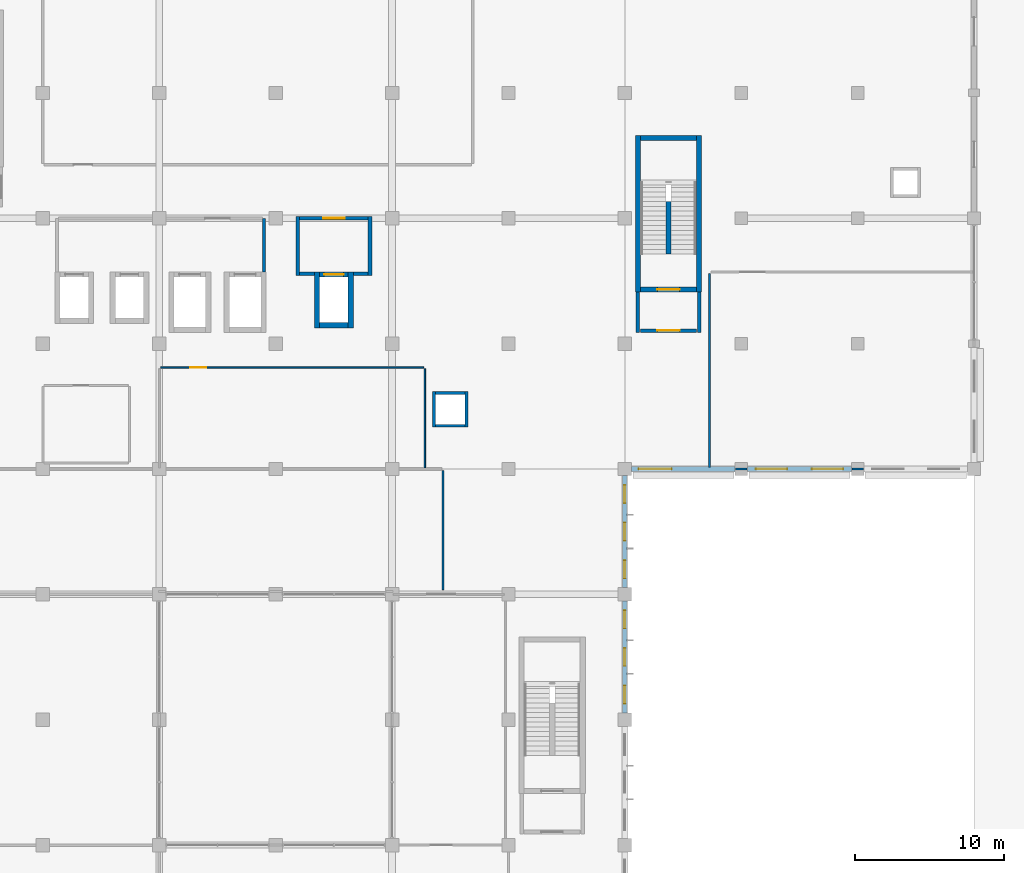
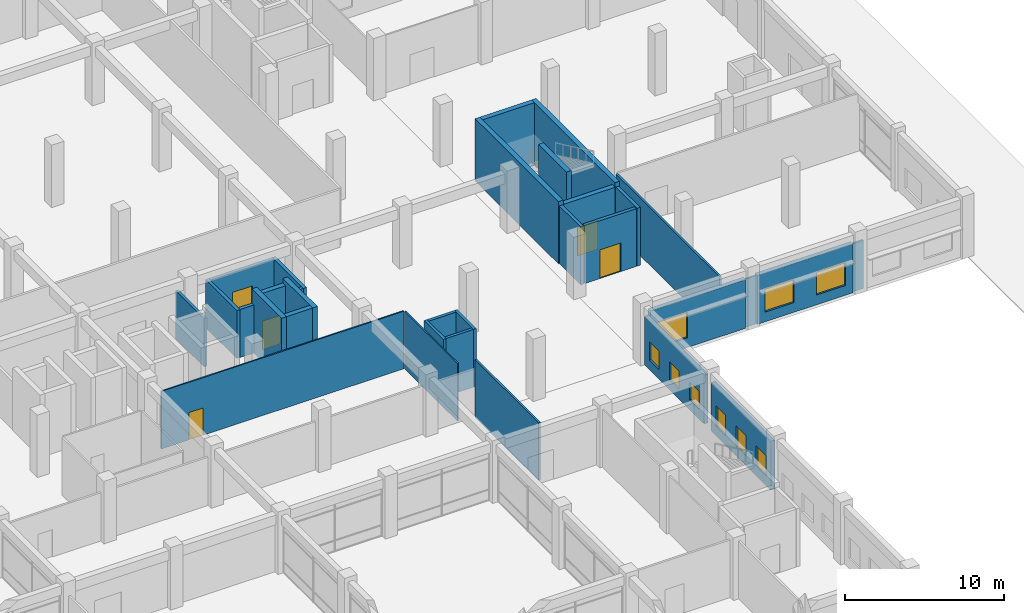
# One storey, part 57 of 74: 32 walls, 9 windows, 5 doors, 14 openings.
"""IFC4 building model written with IfcOpenShell, lengths in metres."""

import ifcopenshell
import ifcopenshell.guid

model = None  # the IFC model being written
_history = None  # IfcOwnerHistory: only IFC2X3 demands one
_inside = {}  # id of a spatial element -> (the spatial element, [elements in it])
_under = {}  # id of a project, library or spatial element -> (it, [spatial elements below it])
_declared = {}  # id of a project -> (the project, [libraries it declares])
_typed = {}  # id of a type object -> (the type object, [elements of that type])
_made_of = {}  # id of a material, layer set ... -> (it, [elements and type objects made of it])


def new_model(schema):
    """Start an empty IFC model of exactly this schema.

    Asked for "IFC4X3", IfcOpenShell would pick the latest addendum, in which some entities
    have other attributes; the version numbers below select the first issue.
    IFC2X3 requires an IfcOwnerHistory on every rooted entity: one is made here for all.
    """
    global model, _history
    if schema == "IFC4X3":
        model = ifcopenshell.file(schema_version=(4, 3, 0, 0))
    else:
        model = ifcopenshell.file(schema=schema)
    _inside.clear()
    _under.clear()
    _declared.clear()
    _typed.clear()
    _made_of.clear()
    _history = None
    if model.schema == "IFC2X3":
        org = make("IfcOrganization", Name="unknown")
        user = make(
            "IfcPersonAndOrganization",
            ThePerson=make("IfcPerson", FamilyName="unknown"),
            TheOrganization=org,
        )
        app = make(
            "IfcApplication",
            ApplicationDeveloper=org,
            Version="unknown",
            ApplicationFullName="unknown",
            ApplicationIdentifier="unknown",
        )
        _history = make(
            "IfcOwnerHistory",
            OwningUser=user,
            OwningApplication=app,
            ChangeAction="ADDED",
            CreationDate=0,
        )
    return model


def make(cls, **values):
    """One entity of the class cls with the attributes given. An attribute that is None is left unset."""
    return model.create_entity(
        cls, **{name: value for name, value in values.items() if value is not None}
    )


def rooted(cls, **values):
    """An entity with a GlobalId (a new one), such as an element, a storey or a relation."""
    return make(cls, GlobalId=ifcopenshell.guid.new(), OwnerHistory=_history, **values)


def si_unit(unit_type, name, prefix=None):
    """IfcSIUnit, for example si_unit("LENGTHUNIT", "METRE", prefix="MILLI")."""
    return make("IfcSIUnit", UnitType=unit_type, Prefix=prefix, Name=name)


def assignment(units):
    """IfcUnitAssignment: the units of a project."""
    return None if units is None else make("IfcUnitAssignment", Units=units)


def point(xyz):
    """IfcCartesianPoint."""
    return None if xyz is None else make("IfcCartesianPoint", Coordinates=xyz)


def direction(xyz):
    """IfcDirection."""
    return None if xyz is None else make("IfcDirection", DirectionRatios=xyz)


def frame(location, z_axis=None, x_axis=None):
    """IfcAxis2Placement3D, a coordinate frame: its origin and axes. An axis left out is left unset."""
    return make(
        "IfcAxis2Placement3D",
        Location=point(location),
        Axis=direction(z_axis),
        RefDirection=direction(x_axis),
    )


def frame_2d(location, x_axis=None):
    """IfcAxis2Placement2D, a coordinate frame in the plane: its origin and x axis."""
    return make(
        "IfcAxis2Placement2D", Location=point(location), RefDirection=direction(x_axis)
    )


def origin():
    """The frame at (0, 0, 0) with its axes left unset."""
    return frame((0.0, 0.0, 0.0))


def place(relative_to, where):
    """IfcLocalPlacement: puts the frame where relative to a parent placement (None: the world)."""
    return make(
        "IfcLocalPlacement", PlacementRelTo=relative_to, RelativePlacement=where
    )


def context(
    kind, dimensions, precision=None, world=None, true_north=None, identifier=None
):
    """IfcGeometricRepresentationContext, for example the 3D "Model" context."""
    return make(
        "IfcGeometricRepresentationContext",
        ContextIdentifier=identifier,
        ContextType=kind,
        CoordinateSpaceDimension=dimensions,
        Precision=precision,
        WorldCoordinateSystem=world,
        TrueNorth=true_north,
    )


def subcontext(parent, identifier, kind, view, scale=None):
    """IfcGeometricRepresentationSubContext, for example "Body" below "Model"."""
    return make(
        "IfcGeometricRepresentationSubContext",
        ContextIdentifier=identifier,
        ContextType=kind,
        ParentContext=parent,
        TargetScale=scale,
        TargetView=view,
    )


def project(units=None, contexts=None):
    """IfcProject with its units and contexts."""
    return rooted(
        "IfcProject",
        Name="project",
        RepresentationContexts=contexts,
        UnitsInContext=assignment(units),
    )


def spatial(cls, under=None, at=None, **own):
    """A site, building, storey or space (cls), placed at a placement, below another one or the project."""
    s = rooted(cls, ObjectPlacement=at, **own)
    if under is not None:
        _under.setdefault(under.id(), (under, []))[1].append(s)
    return s


def profile(cls, at=None, kind="AREA", **sizes):
    """A parametric profile (cls). Its sizes go by their IFC names, for example OverallWidth=200.0."""
    return make(cls, ProfileType=kind, Position=at, **sizes)


def rectangle(**sizes):
    """IfcRectangleProfileDef."""
    return profile("IfcRectangleProfileDef", **sizes)


def extrude(swept, where, along, depth):
    """IfcExtrudedAreaSolid: the profile swept, set in the frame where, extruded along a direction by depth."""
    return make(
        "IfcExtrudedAreaSolid",
        SweptArea=swept,
        Position=where,
        ExtrudedDirection=direction(along),
        Depth=depth,
    )


def shape(context_of_items, identifier, shape_type, items):
    """IfcShapeRepresentation: the items that make up one representation, for example the "Body"."""
    return make(
        "IfcShapeRepresentation",
        ContextOfItems=context_of_items,
        RepresentationIdentifier=identifier,
        RepresentationType=shape_type,
        Items=items,
    )


def material(Name=None, Category=None):
    """IfcMaterial."""
    return make("IfcMaterial", Name=Name, Category=Category)


def layer(
    of_material, thickness, ventilated=None, Name=None, Category=None, Priority=None
):
    """IfcMaterialLayer: one layer of a wall or slab, of a material (None: an air gap)."""
    return make(
        "IfcMaterialLayer",
        Material=of_material,
        LayerThickness=thickness,
        IsVentilated=ventilated,
        Name=Name,
        Category=Category,
        Priority=Priority,
    )


def layer_set(layers, Name=None):
    """IfcMaterialLayerSet."""
    return make("IfcMaterialLayerSet", MaterialLayers=layers, LayerSetName=Name)


def made_of(thing, what):
    """Note that an element or type object is made of a material, layer set ...; save() writes the relation."""
    if what is not None:
        _made_of.setdefault(what.id(), (what, []))[1].append(thing)
    return thing


def type_object(cls, material=None, **own):
    """A type object (cls), such as IfcWallType, which elements share."""
    return made_of(rooted(cls, **own), material)


def element(
    cls,
    number,
    at=None,
    inside=None,
    cuts=None,
    type_object=None,
    material=None,
    context=None,
    identifier="Body",
    shape_type=None,
    held_by="IfcProductDefinitionShape",
    body=None,
    shapes=None,
    **own,
):
    """One element of the class cls, such as IfcWall. Its Tag is "e" and its number.

    at: its placement. inside: the storey or other place that contains it. cuts: it is an
    opening in that element (IfcRelVoidsElement). A single representation is given by context,
    identifier, shape_type and body (its items); several are given by shapes. held_by: the class
    of the entity that holds the representations. save() writes the other relations.
    """
    e = rooted(cls, Tag="e%d" % number, ObjectPlacement=at, **own)
    if body is not None:
        shapes = [shape(context, identifier, shape_type, body)]
    if shapes is not None:
        e.Representation = make(held_by, Representations=shapes)
    if inside is not None:
        _inside.setdefault(inside.id(), (inside, []))[1].append(e)
    if cuts is not None:
        rooted(
            "IfcRelVoidsElement", RelatingBuildingElement=cuts, RelatedOpeningElement=e
        )
    if type_object is not None:
        _typed.setdefault(type_object.id(), (type_object, []))[1].append(e)
    return made_of(e, material)


def fill(opening, filler):
    """IfcRelFillsElement: the door or window that sits in an opening."""
    return rooted(
        "IfcRelFillsElement",
        RelatingOpeningElement=opening,
        RelatedBuildingElement=filler,
    )


def aggregate(whole, parts):
    """IfcRelAggregates: a whole, such as a stair, and the parts it consists of."""
    return rooted("IfcRelAggregates", RelatingObject=whole, RelatedObjects=parts)


def save(model, path):
    """Write the relations noted so far, then the file.

    IfcRelAggregates (storeys below a building ...), IfcRelContainedInSpatialStructure (elements
    in a storey), IfcRelDefinesByType, IfcRelAssociatesMaterial and IfcRelDeclares: one each for
    every whole, place, type object, material and project.
    """
    for whole, parts in _under.values():
        aggregate(whole, parts)
    for where, things in _inside.values():
        rooted(
            "IfcRelContainedInSpatialStructure",
            RelatedElements=things,
            RelatingStructure=where,
        )
    for kind, things in _typed.values():
        rooted("IfcRelDefinesByType", RelatedObjects=things, RelatingType=kind)
    for what, things in _made_of.values():
        rooted("IfcRelAssociatesMaterial", RelatedObjects=things, RelatingMaterial=what)
    for by, libraries in _declared.values():
        rooted("IfcRelDeclares", RelatingContext=by, RelatedDefinitions=libraries)
    model.write(path)


model = new_model("IFC4")

# Units and contexts
model_context = context("Model", 3, precision=1e-05, world=origin(), true_north=direction((0.0, 1.0)))
body_context = subcontext(model_context, "Body", "Model", "MODEL_VIEW")
ifc_project = project(units=[si_unit("LENGTHUNIT", "METRE"), si_unit("AREAUNIT", "SQUARE_METRE"), si_unit("VOLUMEUNIT", "CUBIC_METRE"), si_unit("PLANEANGLEUNIT", "RADIAN"), si_unit("MASSUNIT", "GRAM", prefix="KILO"), si_unit("THERMODYNAMICTEMPERATUREUNIT", "KELVIN"), si_unit("POWERUNIT", "WATT")], contexts=[model_context])

# Site, building, storey
site_placement = place(None, origin())
site = spatial("IfcSite", under=ifc_project, at=site_placement, CompositionType="ELEMENT")
building_placement = place(site_placement, origin())
building = spatial("IfcBuilding", under=site, at=building_placement, Name="Srebrne Nadtorze General Hospital", CompositionType="ELEMENT")
storey_placement = place(building_placement, origin())
storey = spatial("IfcBuildingStorey", under=building, at=storey_placement, Name="L00", CompositionType="ELEMENT", Elevation=0.0)

# Walls
ifc_material_1 = material(Name="Gypsum Healthcare Partition")
ifc_layer_1 = layer(ifc_material_1, 0.139892578125)
ifc_layer_set_1 = layer_set([ifc_layer_1], Name="Gypsum Healthcare Partition")
wall_type_1 = type_object("IfcWallType", Name="Clinical partition 140", PredefinedType="PARTITIONING", material=ifc_layer_set_1)
for number, where, z_axis, x_axis, name in (
    (1, (155.614990234375, 33.60009765625, 0.0), (0.0, 0.0, 1.0), (1.0, 0.0, 0.0), "Outpatient Retail Pharmacy wall WL-INT-L00-1352"),
    (2, (163.4150390625, 33.60009765625, 0.0), (0.0, 0.0, 1.0), (1.0, 0.0, 0.0), "Outpatient Retail Pharmacy wall WL-INT-L00-1353"),
):
    element("IfcWall", number, at=place(storey_placement, frame(where, z_axis=z_axis, x_axis=x_axis)), inside=storey, type_object=wall_type_1, Name=name, PredefinedType="PARTITIONING", context=body_context, shape_type="SweptSolid", body=[
        extrude(rectangle(XDim=0.77001953125, YDim=0.139892578125, at=frame_2d((0.385009765625, 0.0))), origin(), (0.0, 0.0, 1.0), 3.699951171875),
    ])
wall_1_placement = place(storey_placement, frame((153.875, 33.68505859375, 0.0), z_axis=(0.0, 0.0, 1.0), x_axis=(0.0, 1.0, 0.0)))
element("IfcWall", 3, at=wall_1_placement, inside=storey, type_object=wall_type_1, Name="Outpatient Retail Pharmacy wall WL-INT-L00-1354", PredefinedType="PARTITIONING", context=body_context, shape_type="SweptSolid", body=[
    extrude(rectangle(XDim=13.030029296875, YDim=0.139892578125, at=frame_2d((6.51513671875, 0.0))), origin(), (0.0, 0.0, 1.0), 4.429931640625),
])
wall_2_placement = place(storey_placement, frame((136.0, 25.485107421875, 0.0), z_axis=(0.0, 0.0, 1.0), x_axis=(0.0, 1.0, 0.0)))
element("IfcWall", 4, at=wall_2_placement, inside=storey, type_object=wall_type_1, Name="Outpatient Pre-Admission Assessment Clinic wall WL-INT-L00-1389", PredefinedType="PARTITIONING", context=body_context, shape_type="SweptSolid", body=[
    extrude(rectangle(XDim=8.02978515625, YDim=0.139892578125, at=frame_2d((4.014892578125, 0.0))), origin(), (0.0, 0.0, 1.0), 4.429931640625),
])
ifc_material_2 = material(Name="Gypsum Healthcare Partition")
ifc_layer_2 = layer(ifc_material_2, 0.199951171875)
ifc_layer_set_2 = layer_set([ifc_layer_2], Name="Gypsum Healthcare Partition")
wall_type_2 = type_object("IfcWallType", Name="Compartment wall 200", PredefinedType="STANDARD", material=ifc_layer_set_2)
wall_3_placement = place(storey_placement, frame((124.02001953125, 46.81005859375, 0.0), z_axis=(0.0, 0.0, 1.0), x_axis=(0.0, 1.0, 0.0)))
element("IfcWall", 5, at=wall_3_placement, inside=storey, type_object=wall_type_2, Name="Lift lobby side wall WL-INT-L00-0910", PredefinedType="STANDARD", context=body_context, shape_type="SweptSolid", body=[
    extrude(rectangle(XDim=3.58984375, YDim=0.199951171875, at=frame_2d((1.794921875, 0.0))), origin(), (0.0, 0.0, 1.0), 3.699951171875),
])
for number, where, z_axis, x_axis, name in (
    (6, (135.39990234375, 36.39990234375, 0.0), (0.0, 0.0, 1.0), (0.0, 1.0, 0.0), "MEP riser wall WL-INT-L00-0916"),
    (7, (137.60009765625, 36.39990234375, 0.0), (0.0, 0.0, 1.0), (0.0, 1.0, 0.0), "MEP riser wall WL-INT-L00-0917"),
):
    element("IfcWall", number, at=place(storey_placement, frame(where, z_axis=z_axis, x_axis=x_axis)), inside=storey, type_object=wall_type_2, Name=name, PredefinedType="STANDARD", context=body_context, shape_type="SweptSolid", body=[
        extrude(rectangle(XDim=2.400146484375, YDim=0.199951171875, at=frame_2d((1.2001953125, 0.0))), origin(), (0.0, 0.0, 1.0), 4.449951171875),
    ])
for number, where, z_axis, x_axis, name in (
    (8, (135.5, 36.5, 0.0), (0.0, 0.0, 1.0), (1.0, 0.0, 0.0), "MEP riser wall WL-INT-L00-0918"),
    (9, (135.5, 38.699951171875, 0.0), (0.0, 0.0, 1.0), (1.0, 0.0, 0.0), "MEP riser wall WL-INT-L00-0919"),
):
    element("IfcWall", number, at=place(storey_placement, frame(where, z_axis=z_axis, x_axis=x_axis)), inside=storey, type_object=wall_type_2, Name=name, PredefinedType="STANDARD", context=body_context, shape_type="SweptSolid", body=[
        extrude(rectangle(XDim=2.0, YDim=0.199951171875, at=frame_2d((1.0, 0.0))), origin(), (0.0, 0.0, 1.0), 4.449951171875),
    ])
ifc_material_3 = material(Name="Gypsum Healthcare Partition")
ifc_layer_3 = layer(ifc_material_3, 0.239990234375)
ifc_layer_set_3 = layer_set([ifc_layer_3], Name="Gypsum Healthcare Partition")
wall_type_3 = type_object("IfcWallType", Name="Corridor fire wall 240", PredefinedType="STANDARD", material=ifc_layer_set_3)
for number, where, z_axis, x_axis, name in (
    (10, (149.074951171875, 42.7548828125, 0.0), (0.0, 0.0, 1.0), (0.0, 1.0, 0.0), "Fire lobby wall ST-06 WL-INT-L00-0109"),
    (11, (153.175048828125, 42.7548828125, 0.0), (0.0, 0.0, 1.0), (0.0, 1.0, 0.0), "Fire lobby wall ST-06 WL-INT-L00-0110"),
):
    element("IfcWall", number, at=place(storey_placement, frame(where, z_axis=z_axis, x_axis=x_axis)), inside=storey, type_object=wall_type_3, Name=name, PredefinedType="STANDARD", context=body_context, shape_type="SweptSolid", body=[
        extrude(rectangle(XDim=2.695068359375, YDim=0.239990234375, at=frame_2d((1.34765625, 0.0))), origin(), (0.0, 0.0, 1.0), 4.449951171875),
    ])

# Wall, opening, door
wall_4_placement = place(storey_placement, frame((149.25, 42.875, 0.0), z_axis=(0.0, 0.0, 1.0), x_axis=(1.0, 0.0, 0.0)))
wall_4 = element("IfcWall", 12, at=wall_4_placement, inside=storey, type_object=wall_type_3, Name="Fire lobby entry wall ST-06 WL-INT-L00-0111", PredefinedType="STANDARD", context=body_context, shape_type="SweptSolid", body=[
    extrude(rectangle(XDim=3.75, YDim=0.239990234375, at=frame_2d((1.875, 0.0))), origin(), (0.0, 0.0, 1.0), 4.449951171875),
])
opening_1_placement = place(wall_4_placement, frame((1.125, 0.0, 0.0)))
opening_1 = element("IfcOpeningElement", 13, at=opening_1_placement, cuts=wall_4, Name="Opening D-L00-0028", PredefinedType="OPENING", context=body_context, shape_type="SweptSolid", body=[
    extrude(rectangle(XDim=1.5, YDim=2.199951171875, at=frame_2d((0.75, 1.10009765625))), frame((0.0, 0.1318359375, 0.0), z_axis=(0.0, -1.0, 0.0), x_axis=(1.0, 0.0, 0.0)), (0.0, 0.0, 1.0), 0.263916015625),
])
ifc_material_4 = material(Name="Anodised Aluminium", Category="aluminium")
door_type_1 = type_object("IfcDoorType", Name="Double leaf door 1500x2200", OperationType="DOUBLE_DOOR_SINGLE_SWING", PredefinedType="DOOR", material=ifc_material_4)
door_1_placement = place(opening_1_placement, frame((1.5, 0.0, 0.0), z_axis=(0.0, 0.0, 1.0), x_axis=(-1.0, 0.0, 0.0)))
door_1 = element("IfcDoor", 14, at=door_1_placement, inside=storey, type_object=door_type_1, Name="Fire lobby door ST-06 D-L00-0028", OperationType="DOUBLE_DOOR_SINGLE_SWING", OverallHeight=2.199951171875, OverallWidth=1.5, PredefinedType="DOOR", context=body_context, shape_type="SweptSolid", body=[
    extrude(rectangle(XDim=1.5, YDim=2.199951171875, at=frame_2d((0.75, 1.10009765625))), frame((0.0, 0.02490234375, 0.0), z_axis=(0.0, -1.0, 0.0), x_axis=(1.0, 0.0, 0.0)), (0.0, 0.0, 1.0), 0.050048828125),
])
fill(opening_1, door_1)

# Walls
for number, where, z_axis, x_axis, name in (
    (15, (126.280029296875, 46.570068359375, 0.0), (0.0, 0.0, 1.0), (0.0, 1.0, 0.0), "FF lift lobby wall WL-INT-L00-0904"),
    (16, (131.1201171875, 46.570068359375, 0.0), (0.0, 0.0, 1.0), (0.0, 1.0, 0.0), "FF lift lobby wall WL-INT-L00-0905"),
):
    element("IfcWall", number, at=place(storey_placement, frame(where, z_axis=z_axis, x_axis=x_axis)), inside=storey, type_object=wall_type_3, Name=name, PredefinedType="STANDARD", context=body_context, shape_type="SweptSolid", body=[
        extrude(rectangle(XDim=3.949951171875, YDim=0.239990234375, at=frame_2d((1.97509765625, 0.0))), origin(), (0.0, 0.0, 1.0), 3.699951171875),
    ])
for number, where, z_axis, x_axis, name in (
    (17, (126.39990234375, 46.68994140625, 0.0), (0.0, 0.0, 1.0), (1.0, 0.0, 0.0), "FF lift lobby return wall WL-INT-L00-0906"),
    (18, (130.0, 46.68994140625, 0.0), (0.0, 0.0, 1.0), (1.0, 0.0, 0.0), "FF lift lobby return wall WL-INT-L00-0907"),
):
    element("IfcWall", number, at=place(storey_placement, frame(where, z_axis=z_axis, x_axis=x_axis)), inside=storey, type_object=wall_type_3, Name=name, PredefinedType="STANDARD", context=body_context, shape_type="SweptSolid", body=[
        extrude(rectangle(XDim=1.0, YDim=0.239990234375, at=frame_2d((0.5, 0.0))), origin(), (0.0, 0.0, 1.0), 3.699951171875),
    ])

# Wall, opening, door
wall_5_placement = place(storey_placement, frame((126.39990234375, 50.39990234375, 0.0), z_axis=(0.0, 0.0, 1.0), x_axis=(1.0, 0.0, 0.0)))
wall_5 = element("IfcWall", 19, at=wall_5_placement, inside=storey, type_object=wall_type_3, Name="FF lift lobby front wall WL-INT-L00-0908", PredefinedType="STANDARD", context=body_context, shape_type="SweptSolid", body=[
    extrude(rectangle(XDim=4.60009765625, YDim=0.239990234375, at=frame_2d((2.300048828125, 0.0))), origin(), (0.0, 0.0, 1.0), 3.699951171875),
])
opening_2_placement = place(wall_5_placement, frame((1.574951171875, 0.0, 0.0)))
opening_2 = element("IfcOpeningElement", 20, at=opening_2_placement, cuts=wall_5, Name="Opening D-L00-0125", PredefinedType="OPENING", context=body_context, shape_type="SweptSolid", body=[
    extrude(rectangle(XDim=1.449951171875, YDim=2.199951171875, at=frame_2d((0.72509765625, 1.10009765625))), frame((0.0, 0.1318359375, 0.0), z_axis=(0.0, -1.0, 0.0), x_axis=(1.0, 0.0, 0.0)), (0.0, 0.0, 1.0), 0.263916015625),
])
ifc_material_5 = material(Name="Anodised Aluminium", Category="aluminium")
door_type_2 = type_object("IfcDoorType", Name="Double leaf door 1450x2200", OperationType="DOUBLE_DOOR_SINGLE_SWING", PredefinedType="DOOR", material=ifc_material_5)
door_2_placement = place(opening_2_placement, origin())
door_2 = element("IfcDoor", 21, at=door_2_placement, inside=storey, type_object=door_type_2, Name="Firefighting lift lobby door D-L00-0125", OperationType="DOUBLE_DOOR_SINGLE_SWING", OverallHeight=2.199951171875, OverallWidth=1.449951171875, PredefinedType="DOOR", context=body_context, shape_type="SweptSolid", body=[
    extrude(rectangle(XDim=1.449951171875, YDim=2.199951171875, at=frame_2d((0.72509765625, 1.10009765625))), frame((0.0, 0.02490234375, 0.0), z_axis=(0.0, -1.0, 0.0), x_axis=(1.0, 0.0, 0.0)), (0.0, 0.0, 1.0), 0.050048828125),
])
fill(opening_2, door_2)

# Wall, openings, windows
ifc_material_6 = material(Name="Concrete C40/50 precast", Category="concrete")
ifc_layer_4 = layer(ifc_material_6, 0.300048828125)
ifc_layer_set_4 = layer_set([ifc_layer_4], Name="Concrete C40/50 precast")
wall_type_4 = type_object("IfcWallType", Name="Limestone precast wall 300", PredefinedType="STANDARD", material=ifc_layer_set_4)
wall_6_placement = place(storey_placement, frame((148.199951171875, 17.25, 0.0), z_axis=(0.0, 0.0, 1.0), x_axis=(0.0, 1.0, 0.0)))
wall_6 = element("IfcWall", 22, at=wall_6_placement, inside=storey, type_object=wall_type_4, Name="Exterior wall WL-ENV-L00-0140", PredefinedType="STANDARD", context=body_context, shape_type="SweptSolid", body=[
    extrude(rectangle(XDim=7.5, YDim=0.300048828125, at=frame_2d((3.75, 0.0))), origin(), (0.0, 0.0, 1.0), 3.75),
])
opening_3_placement = place(wall_6_placement, frame((0.6298828125, 0.0, 0.75)))
opening_3 = element("IfcOpeningElement", 23, at=opening_3_placement, cuts=wall_6, Name="Opening WN-L00-0102", PredefinedType="OPENING", context=body_context, shape_type="SweptSolid", body=[
    extrude(rectangle(XDim=1.199951171875, YDim=1.550048828125, at=frame_2d((0.60009765625, 0.77490234375))), frame((0.0, 0.162109375, 0.0), z_axis=(0.0, -1.0, 0.0), x_axis=(1.0, 0.0, 0.0)), (0.0, 0.0, 1.0), 0.323974609375),
])
opening_4_placement = place(wall_6_placement, frame((3.14990234375, 0.0, 0.75)))
opening_4 = element("IfcOpeningElement", 24, at=opening_4_placement, cuts=wall_6, Name="Opening WN-L00-0103", PredefinedType="OPENING", context=body_context, shape_type="SweptSolid", body=[
    extrude(rectangle(XDim=1.199951171875, YDim=1.550048828125, at=frame_2d((0.60009765625, 0.77490234375))), frame((0.0, 0.162109375, 0.0), z_axis=(0.0, -1.0, 0.0), x_axis=(1.0, 0.0, 0.0)), (0.0, 0.0, 1.0), 0.323974609375),
])
opening_5_placement = place(wall_6_placement, frame((5.669921875, 0.0, 0.75)))
opening_5 = element("IfcOpeningElement", 25, at=opening_5_placement, cuts=wall_6, Name="Opening WN-L00-0104", PredefinedType="OPENING", context=body_context, shape_type="SweptSolid", body=[
    extrude(rectangle(XDim=1.199951171875, YDim=1.550048828125, at=frame_2d((0.60009765625, 0.77490234375))), frame((0.0, 0.162109375, 0.0), z_axis=(0.0, -1.0, 0.0), x_axis=(1.0, 0.0, 0.0)), (0.0, 0.0, 1.0), 0.323974609375),
])
ifc_material_7 = material(Name="Triple Low-E Glazing", Category="glass")
window_type_1 = type_object("IfcWindowType", Name="Punched clinical window 1200x1550", PartitioningType="SINGLE_PANEL", PredefinedType="WINDOW", material=ifc_material_7)
window_1_placement = place(opening_3_placement, origin())
window_1 = element("IfcWindow", 26, at=window_1_placement, inside=storey, type_object=window_type_1, Name="Clinical window WN-L00-0102", OverallHeight=1.550048828125, OverallWidth=1.199951171875, PartitioningType="SINGLE_PANEL", PredefinedType="WINDOW", context=body_context, shape_type="SweptSolid", body=[
    extrude(rectangle(XDim=1.199951171875, YDim=1.550048828125, at=frame_2d((0.60009765625, 0.77490234375))), frame((0.0, 0.030029296875, 0.0), z_axis=(0.0, -1.0, 0.0), x_axis=(1.0, 0.0, 0.0)), (0.0, 0.0, 1.0), 0.06005859375),
])
fill(opening_3, window_1)
window_2_placement = place(opening_4_placement, origin())
window_2 = element("IfcWindow", 27, at=window_2_placement, inside=storey, type_object=window_type_1, Name="Clinical window WN-L00-0103", OverallHeight=1.550048828125, OverallWidth=1.199951171875, PartitioningType="SINGLE_PANEL", PredefinedType="WINDOW", context=body_context, shape_type="SweptSolid", body=[
    extrude(rectangle(XDim=1.199951171875, YDim=1.550048828125, at=frame_2d((0.60009765625, 0.77490234375))), frame((0.0, 0.030029296875, 0.0), z_axis=(0.0, -1.0, 0.0), x_axis=(1.0, 0.0, 0.0)), (0.0, 0.0, 1.0), 0.06005859375),
])
fill(opening_4, window_2)
window_3_placement = place(opening_5_placement, origin())
window_3 = element("IfcWindow", 28, at=window_3_placement, inside=storey, type_object=window_type_1, Name="Clinical window WN-L00-0104", OverallHeight=1.550048828125, OverallWidth=1.199951171875, PartitioningType="SINGLE_PANEL", PredefinedType="WINDOW", context=body_context, shape_type="SweptSolid", body=[
    extrude(rectangle(XDim=1.199951171875, YDim=1.550048828125, at=frame_2d((0.60009765625, 0.77490234375))), frame((0.0, 0.030029296875, 0.0), z_axis=(0.0, -1.0, 0.0), x_axis=(1.0, 0.0, 0.0)), (0.0, 0.0, 1.0), 0.06005859375),
])
fill(opening_5, window_3)

wall_7_placement = place(storey_placement, frame((148.199951171875, 25.64990234375, 0.0), z_axis=(0.0, 0.0, 1.0), x_axis=(0.0, 1.0, 0.0)))
wall_7 = element("IfcWall", 29, at=wall_7_placement, inside=storey, type_object=wall_type_4, Name="Exterior wall WL-ENV-L00-0141", PredefinedType="STANDARD", context=body_context, shape_type="SweptSolid", body=[
    extrude(rectangle(XDim=7.5, YDim=0.300048828125, at=frame_2d((3.75, 0.0))), origin(), (0.0, 0.0, 1.0), 3.75),
])
opening_6_placement = place(wall_7_placement, frame((0.6298828125, 0.0, 0.75)))
opening_6 = element("IfcOpeningElement", 30, at=opening_6_placement, cuts=wall_7, Name="Opening WN-L00-0105", PredefinedType="OPENING", context=body_context, shape_type="SweptSolid", body=[
    extrude(rectangle(XDim=1.199951171875, YDim=1.39990234375, at=frame_2d((0.60009765625, 0.699951171875))), frame((0.0, 0.162109375, 0.0), z_axis=(0.0, -1.0, 0.0), x_axis=(1.0, 0.0, 0.0)), (0.0, 0.0, 1.0), 0.323974609375),
])
opening_7_placement = place(wall_7_placement, frame((3.14990234375, 0.0, 0.75)))
opening_7 = element("IfcOpeningElement", 31, at=opening_7_placement, cuts=wall_7, Name="Opening WN-L00-0106", PredefinedType="OPENING", context=body_context, shape_type="SweptSolid", body=[
    extrude(rectangle(XDim=1.199951171875, YDim=1.39990234375, at=frame_2d((0.60009765625, 0.699951171875))), frame((0.0, 0.162109375, 0.0), z_axis=(0.0, -1.0, 0.0), x_axis=(1.0, 0.0, 0.0)), (0.0, 0.0, 1.0), 0.323974609375),
])
opening_8_placement = place(wall_7_placement, frame((5.669921875, 0.0, 0.75)))
opening_8 = element("IfcOpeningElement", 32, at=opening_8_placement, cuts=wall_7, Name="Opening WN-L00-0107", PredefinedType="OPENING", context=body_context, shape_type="SweptSolid", body=[
    extrude(rectangle(XDim=1.199951171875, YDim=1.39990234375, at=frame_2d((0.60009765625, 0.699951171875))), frame((0.0, 0.162109375, 0.0), z_axis=(0.0, -1.0, 0.0), x_axis=(1.0, 0.0, 0.0)), (0.0, 0.0, 1.0), 0.323974609375),
])
ifc_material_8 = material(Name="Triple Low-E Glazing", Category="glass")
window_type_2 = type_object("IfcWindowType", Name="Punched clinical window 1200x1400", PartitioningType="SINGLE_PANEL", PredefinedType="WINDOW", material=ifc_material_8)
window_4_placement = place(opening_6_placement, origin())
window_4 = element("IfcWindow", 33, at=window_4_placement, inside=storey, type_object=window_type_2, Name="Clinical window WN-L00-0105", OverallHeight=1.39990234375, OverallWidth=1.199951171875, PartitioningType="SINGLE_PANEL", PredefinedType="WINDOW", context=body_context, shape_type="SweptSolid", body=[
    extrude(rectangle(XDim=1.199951171875, YDim=1.39990234375, at=frame_2d((0.60009765625, 0.699951171875))), frame((0.0, 0.030029296875, 0.0), z_axis=(0.0, -1.0, 0.0), x_axis=(1.0, 0.0, 0.0)), (0.0, 0.0, 1.0), 0.06005859375),
])
fill(opening_6, window_4)
window_5_placement = place(opening_7_placement, origin())
window_5 = element("IfcWindow", 34, at=window_5_placement, inside=storey, type_object=window_type_2, Name="Clinical window WN-L00-0106", OverallHeight=1.39990234375, OverallWidth=1.199951171875, PartitioningType="SINGLE_PANEL", PredefinedType="WINDOW", context=body_context, shape_type="SweptSolid", body=[
    extrude(rectangle(XDim=1.199951171875, YDim=1.39990234375, at=frame_2d((0.60009765625, 0.699951171875))), frame((0.0, 0.030029296875, 0.0), z_axis=(0.0, -1.0, 0.0), x_axis=(1.0, 0.0, 0.0)), (0.0, 0.0, 1.0), 0.06005859375),
])
fill(opening_7, window_5)
window_6_placement = place(opening_8_placement, origin())
window_6 = element("IfcWindow", 35, at=window_6_placement, inside=storey, type_object=window_type_2, Name="Clinical window WN-L00-0107", OverallHeight=1.39990234375, OverallWidth=1.199951171875, PartitioningType="SINGLE_PANEL", PredefinedType="WINDOW", context=body_context, shape_type="SweptSolid", body=[
    extrude(rectangle(XDim=1.199951171875, YDim=1.39990234375, at=frame_2d((0.60009765625, 0.699951171875))), frame((0.0, 0.030029296875, 0.0), z_axis=(0.0, -1.0, 0.0), x_axis=(1.0, 0.0, 0.0)), (0.0, 0.0, 1.0), 0.06005859375),
])
fill(opening_8, window_6)

# Wall, opening, door
ifc_material_9 = material(Name="Gypsum Healthcare Partition")
ifc_layer_5 = layer(ifc_material_9, 0.10009765625)
ifc_layer_set_5 = layer_set([ifc_layer_5], Name="Gypsum Healthcare Partition")
wall_type_5 = type_object("IfcWallType", Name="Shaft lining wall 100", PredefinedType="PARTITIONING", material=ifc_layer_set_5)
wall_8_placement = place(storey_placement, frame((117.0849609375, 40.39990234375, 0.0), z_axis=(0.0, 0.0, 1.0), x_axis=(1.0, 0.0, 0.0)))
wall_8 = element("IfcWall", 36, at=wall_8_placement, inside=storey, type_object=wall_type_5, Name="Diagnostic Specimen Reception Lab wall WL-INT-L00-1390", PredefinedType="PARTITIONING", context=body_context, shape_type="SweptSolid", body=[
    extrude(rectangle(XDim=17.630126953125, YDim=0.10009765625, at=frame_2d((8.81494140625, 0.0))), origin(), (0.0, 0.0, 1.0), 4.429931640625),
])
opening_9_placement = place(wall_8_placement, frame((1.99462890625, 0.0, 0.0)))
opening_9 = element("IfcOpeningElement", 37, at=opening_9_placement, cuts=wall_8, Name="Opening D-L00-0213", PredefinedType="OPENING", context=body_context, shape_type="SweptSolid", body=[
    extrude(rectangle(XDim=1.050048828125, YDim=2.10009765625, at=frame_2d((0.52490234375, 1.050048828125))), frame((0.0, 0.06201171875, 0.0), z_axis=(0.0, -1.0, 0.0), x_axis=(1.0, 0.0, 0.0)), (0.0, 0.0, 1.0), 0.1240234375),
])
ifc_material_10 = material(Name="Anodised Aluminium", Category="aluminium")
door_type_3 = type_object("IfcDoorType", Name="Single leaf door 1050x2100", OperationType="NOTDEFINED", PredefinedType="DOOR", material=ifc_material_10)
door_3_placement = place(opening_9_placement, frame((1.050048828125, 0.0, 0.0), z_axis=(0.0, 0.0, 1.0), x_axis=(-1.0, 0.0, 0.0)))
door_3 = element("IfcDoor", 38, at=door_3_placement, inside=storey, type_object=door_type_3, Name="Diagnostic Specimen Reception Lab door D-L00-0213", OperationType="SINGLE_SWING_RIGHT", OverallHeight=2.10009765625, OverallWidth=1.050048828125, PredefinedType="DOOR", context=body_context, shape_type="SweptSolid", body=[
    extrude(rectangle(XDim=1.050048828125, YDim=2.10009765625, at=frame_2d((0.52490234375, 1.050048828125))), frame((0.0, 0.02490234375, 0.0), z_axis=(0.0, -1.0, 0.0), x_axis=(1.0, 0.0, 0.0)), (0.0, 0.0, 1.0), 0.050048828125),
])
fill(opening_9, door_3)

# Walls
wall_9_placement = place(storey_placement, frame((134.800048828125, 33.68505859375, 0.0), z_axis=(0.0, 0.0, 1.0), x_axis=(0.0, 1.0, 0.0)))
element("IfcWall", 39, at=wall_9_placement, inside=storey, type_object=wall_type_5, Name="Diagnostic Specimen Reception Lab wall WL-INT-L00-1392", PredefinedType="PARTITIONING", context=body_context, shape_type="SweptSolid", body=[
    extrude(rectangle(XDim=6.6298828125, YDim=0.10009765625, at=frame_2d((3.31494140625, 0.0))), origin(), (0.0, 0.0, 1.0), 4.429931640625),
])
ifc_material_11 = material(Name="Concrete C40/50", Category="concrete")
ifc_layer_6 = layer(ifc_material_11, 0.35009765625)
ifc_layer_set_6 = layer_set([ifc_layer_6], Name="Concrete C40/50")
wall_type_6 = type_object("IfcWallType", Name="Shear core wall 350", PredefinedType="SHEAR", material=ifc_layer_set_6)
for number, where, z_axis, x_axis, name in (
    (40, (149.074951171875, 45.449951171875, 0.0), (0.0, 0.0, 1.0), (0.0, 1.0, 0.0), "Stair core wall ST-06 WL-INT-L00-0105"),
    (41, (153.175048828125, 45.449951171875, 0.0), (0.0, 0.0, 1.0), (0.0, 1.0, 0.0), "Stair core wall ST-06 WL-INT-L00-0106"),
):
    element("IfcWall", number, at=place(storey_placement, frame(where, z_axis=z_axis, x_axis=x_axis)), inside=storey, type_object=wall_type_6, Name=name, PredefinedType="SHEAR", context=body_context, shape_type="SweptSolid", body=[
        extrude(rectangle(XDim=10.5, YDim=0.35009765625, at=frame_2d((5.25, 0.0))), origin(), (0.0, 0.0, 1.0), 4.800048828125),
    ])
wall_10_placement = place(storey_placement, frame((149.25, 55.77490234375, 0.0), z_axis=(0.0, 0.0, 1.0), x_axis=(1.0, 0.0, 0.0)))
element("IfcWall", 42, at=wall_10_placement, inside=storey, type_object=wall_type_6, Name="Stair core wall ST-06 WL-INT-L00-0107", PredefinedType="SHEAR", context=body_context, shape_type="SweptSolid", body=[
    extrude(rectangle(XDim=3.75, YDim=0.35009765625, at=frame_2d((1.875, 0.0))), origin(), (0.0, 0.0, 1.0), 4.800048828125),
])

# Wall, opening, door
wall_11_placement = place(storey_placement, frame((149.25, 45.625, 0.0), z_axis=(0.0, 0.0, 1.0), x_axis=(1.0, 0.0, 0.0)))
wall_11 = element("IfcWall", 43, at=wall_11_placement, inside=storey, type_object=wall_type_6, Name="Stairwell fire wall ST-06 WL-INT-L00-0108", PredefinedType="SHEAR", context=body_context, shape_type="SweptSolid", body=[
    extrude(rectangle(XDim=3.75, YDim=0.35009765625, at=frame_2d((1.875, 0.0))), origin(), (0.0, 0.0, 1.0), 4.449951171875),
])
opening_10_placement = place(wall_11_placement, frame((1.125, 0.0, 0.0)))
opening_10 = element("IfcOpeningElement", 44, at=opening_10_placement, cuts=wall_11, Name="Opening D-L00-0027", PredefinedType="OPENING", context=body_context, shape_type="SweptSolid", body=[
    extrude(rectangle(XDim=1.5, YDim=2.199951171875, at=frame_2d((0.75, 1.10009765625))), frame((0.0, 0.18701171875, 0.0), z_axis=(0.0, -1.0, 0.0), x_axis=(1.0, 0.0, 0.0)), (0.0, 0.0, 1.0), 0.3740234375),
])
door_4_placement = place(opening_10_placement, frame((1.5, 0.0, 0.0), z_axis=(0.0, 0.0, 1.0), x_axis=(-1.0, 0.0, 0.0)))
door_4 = element("IfcDoor", 45, at=door_4_placement, inside=storey, type_object=door_type_1, Name="Protected stair door ST-06 D-L00-0027", OperationType="DOUBLE_DOOR_SINGLE_SWING", OverallHeight=2.199951171875, OverallWidth=1.5, PredefinedType="DOOR", context=body_context, shape_type="SweptSolid", body=[
    extrude(rectangle(XDim=1.5, YDim=2.199951171875, at=frame_2d((0.75, 1.10009765625))), frame((0.0, 0.02490234375, 0.0), z_axis=(0.0, -1.0, 0.0), x_axis=(1.0, 0.0, 0.0)), (0.0, 0.0, 1.0), 0.050048828125),
])
fill(opening_10, door_4)

# Walls
wall_12_placement = place(storey_placement, frame((151.125, 48.0, 0.0), z_axis=(0.0, 0.0, 1.0), x_axis=(0.0, 1.0, 0.0)))
element("IfcWall", 46, at=wall_12_placement, inside=storey, type_object=wall_type_6, Name="Stair spine wall ST-06 WL-INT-L00-0112", PredefinedType="SHEAR", context=body_context, shape_type="SweptSolid", body=[
    extrude(rectangle(XDim=3.52001953125, YDim=0.35009765625, at=frame_2d((1.760009765625, 0.0))), origin(), (0.0, 0.0, 1.0), 4.800048828125),
])
for number, where, z_axis, x_axis, name in (
    (47, (127.574951171875, 43.06005859375, 0.0), (0.0, 0.0, 1.0), (0.0, 1.0, 0.0), "Lift shaft wall FL-03 WL-INT-L00-0838"),
    (48, (129.824951171875, 43.06005859375, 0.0), (0.0, 0.0, 1.0), (0.0, 1.0, 0.0), "Lift shaft wall FL-03 WL-INT-L00-0839"),
):
    element("IfcWall", number, at=place(storey_placement, frame(where, z_axis=z_axis, x_axis=x_axis)), inside=storey, type_object=wall_type_6, Name=name, PredefinedType="SHEAR", context=body_context, shape_type="SweptSolid", body=[
        extrude(rectangle(XDim=3.75, YDim=0.35009765625, at=frame_2d((1.875, 0.0))), origin(), (0.0, 0.0, 1.0), 4.800048828125),
    ])
wall_13_placement = place(storey_placement, frame((127.75, 43.235107421875, 0.0), z_axis=(0.0, 0.0, 1.0), x_axis=(1.0, 0.0, 0.0)))
element("IfcWall", 49, at=wall_13_placement, inside=storey, type_object=wall_type_6, Name="Lift shaft back wall FL-03 WL-INT-L00-0840", PredefinedType="SHEAR", context=body_context, shape_type="SweptSolid", body=[
    extrude(rectangle(XDim=1.89990234375, YDim=0.35009765625, at=frame_2d((0.949951171875, 0.0))), origin(), (0.0, 0.0, 1.0), 4.800048828125),
])

# Wall, opening, door
wall_14_placement = place(storey_placement, frame((127.75, 46.635009765625, 0.0), z_axis=(0.0, 0.0, 1.0), x_axis=(1.0, 0.0, 0.0)))
wall_14 = element("IfcWall", 50, at=wall_14_placement, inside=storey, type_object=wall_type_6, Name="Lift shaft front wall FL-03 WL-INT-L00-0841", PredefinedType="SHEAR", context=body_context, shape_type="SweptSolid", body=[
    extrude(rectangle(XDim=1.89990234375, YDim=0.35009765625, at=frame_2d((0.949951171875, 0.0))), origin(), (0.0, 0.0, 1.0), 4.449951171875),
])
opening_11_placement = place(wall_14_placement, frame((0.300048828125, 0.0, 0.0)))
opening_11 = element("IfcOpeningElement", 51, at=opening_11_placement, cuts=wall_14, Name="Opening LD-L00-094", PredefinedType="OPENING", context=body_context, shape_type="SweptSolid", body=[
    extrude(rectangle(XDim=1.300048828125, YDim=2.199951171875, at=frame_2d((0.64990234375, 1.10009765625))), frame((0.0, 0.18701171875, 0.0), z_axis=(0.0, -1.0, 0.0), x_axis=(1.0, 0.0, 0.0)), (0.0, 0.0, 1.0), 0.3740234375),
])
ifc_material_12 = material(Name="Anodised Aluminium", Category="aluminium")
door_type_4 = type_object("IfcDoorType", Name="Sliding lift door 1300x2200", OperationType="SLIDING_TO_LEFT", PredefinedType="DOOR", material=ifc_material_12)
door_5_placement = place(opening_11_placement, origin())
door_5 = element("IfcDoor", 52, at=door_5_placement, inside=storey, type_object=door_type_4, Name="Lift Landing Door LD-L00-094", OperationType="SLIDING_TO_LEFT", OverallHeight=2.199951171875, OverallWidth=1.300048828125, PredefinedType="DOOR", context=body_context, shape_type="SweptSolid", body=[
    extrude(rectangle(XDim=1.300048828125, YDim=2.199951171875, at=frame_2d((0.64990234375, 1.10009765625))), frame((0.0, 0.02490234375, 0.0), z_axis=(0.0, -1.0, 0.0), x_axis=(1.0, 0.0, 0.0)), (0.0, 0.0, 1.0), 0.050048828125),
])
fill(opening_11, door_5)

# Wall, opening, window
ifc_material_13 = material(Name="Concrete C35/45", Category="concrete")
ifc_layer_7 = layer(ifc_material_13, 0.320068359375)
ifc_layer_set_7 = layer_set([ifc_layer_7], Name="Concrete C35/45")
wall_type_7 = type_object("IfcWallType", Name="Spandrel wall 320", PredefinedType="STANDARD", material=ifc_layer_set_7)
wall_15_placement = place(storey_placement, frame((148.64990234375, 33.60009765625, 0.0), z_axis=(0.0, 0.0, 1.0), x_axis=(1.0, 0.0, 0.0)))
wall_15 = element("IfcWall", 53, at=wall_15_placement, inside=storey, type_object=wall_type_7, Name="Exterior wall WL-ENV-L00-0094", PredefinedType="STANDARD", context=body_context, shape_type="SweptSolid", body=[
    extrude(rectangle(XDim=6.925048828125, YDim=0.320068359375, at=frame_2d((3.46240234375, 0.0))), origin(), (0.0, 0.0, 1.0), 3.75),
])
opening_12_placement = place(wall_15_placement, frame((0.47802734375, 0.0, 0.75)))
opening_12 = element("IfcOpeningElement", 54, at=opening_12_placement, cuts=wall_15, Name="Opening WN-L00-0036", PredefinedType="OPENING", context=body_context, shape_type="SweptSolid", body=[
    extrude(rectangle(XDim=2.199951171875, YDim=1.949951171875, at=frame_2d((1.10009765625, 0.97509765625))), frame((0.0, 0.171875, 0.0), z_axis=(0.0, -1.0, 0.0), x_axis=(1.0, 0.0, 0.0)), (0.0, 0.0, 1.0), 0.343994140625),
])
ifc_material_14 = material(Name="Triple Low-E Glazing", Category="glass")
window_type_3 = type_object("IfcWindowType", Name="Punched clinical window 2200x1950", PartitioningType="DOUBLE_PANEL_VERTICAL", PredefinedType="WINDOW", material=ifc_material_14)
window_7_placement = place(opening_12_placement, origin())
window_7 = element("IfcWindow", 55, at=window_7_placement, inside=storey, type_object=window_type_3, Name="Clinical window WN-L00-0036", OverallHeight=1.949951171875, OverallWidth=2.199951171875, PartitioningType="DOUBLE_PANEL_VERTICAL", PredefinedType="WINDOW", context=body_context, shape_type="SweptSolid", body=[
    extrude(rectangle(XDim=2.199951171875, YDim=1.949951171875, at=frame_2d((1.10009765625, 0.97509765625))), frame((0.0, 0.030029296875, 0.0), z_axis=(0.0, -1.0, 0.0), x_axis=(1.0, 0.0, 0.0)), (0.0, 0.0, 1.0), 0.06005859375),
])
fill(opening_12, window_7)

# Wall, openings, windows
wall_16_placement = place(storey_placement, frame((156.425048828125, 33.60009765625, 0.0), z_axis=(0.0, 0.0, 1.0), x_axis=(1.0, 0.0, 0.0)))
wall_16 = element("IfcWall", 56, at=wall_16_placement, inside=storey, type_object=wall_type_7, Name="Exterior wall WL-ENV-L00-0095", PredefinedType="STANDARD", context=body_context, shape_type="SweptSolid", body=[
    extrude(rectangle(XDim=6.949951171875, YDim=0.320068359375, at=frame_2d((3.47509765625, 0.0))), origin(), (0.0, 0.0, 1.0), 3.75),
])
opening_13_placement = place(wall_16_placement, frame((0.552978515625, 0.0, 0.75)))
opening_13 = element("IfcOpeningElement", 57, at=opening_13_placement, cuts=wall_16, Name="Opening WN-L00-0037", PredefinedType="OPENING", context=body_context, shape_type="SweptSolid", body=[
    extrude(rectangle(XDim=2.10009765625, YDim=1.75, at=frame_2d((1.050048828125, 0.875))), frame((0.0, 0.171875, 0.0), z_axis=(0.0, -1.0, 0.0), x_axis=(1.0, 0.0, 0.0)), (0.0, 0.0, 1.0), 0.343994140625),
])
opening_14_placement = place(wall_16_placement, frame((4.297119140625, 0.0, 0.75)))
opening_14 = element("IfcOpeningElement", 58, at=opening_14_placement, cuts=wall_16, Name="Opening WN-L00-0038", PredefinedType="OPENING", context=body_context, shape_type="SweptSolid", body=[
    extrude(rectangle(XDim=2.10009765625, YDim=1.75, at=frame_2d((1.050048828125, 0.875))), frame((0.0, 0.171875, 0.0), z_axis=(0.0, -1.0, 0.0), x_axis=(1.0, 0.0, 0.0)), (0.0, 0.0, 1.0), 0.343994140625),
])
ifc_material_15 = material(Name="Triple Low-E Glazing", Category="glass")
window_type_4 = type_object("IfcWindowType", Name="Punched clinical window 2100x1750", PartitioningType="DOUBLE_PANEL_VERTICAL", PredefinedType="WINDOW", material=ifc_material_15)
window_8_placement = place(opening_13_placement, origin())
window_8 = element("IfcWindow", 59, at=window_8_placement, inside=storey, type_object=window_type_4, Name="Clinical window WN-L00-0037", OverallHeight=1.75, OverallWidth=2.10009765625, PartitioningType="DOUBLE_PANEL_VERTICAL", PredefinedType="WINDOW", context=body_context, shape_type="SweptSolid", body=[
    extrude(rectangle(XDim=2.10009765625, YDim=1.75, at=frame_2d((1.050048828125, 0.875))), frame((0.0, 0.030029296875, 0.0), z_axis=(0.0, -1.0, 0.0), x_axis=(1.0, 0.0, 0.0)), (0.0, 0.0, 1.0), 0.06005859375),
])
fill(opening_13, window_8)
window_9_placement = place(opening_14_placement, origin())
window_9 = element("IfcWindow", 60, at=window_9_placement, inside=storey, type_object=window_type_4, Name="Clinical window WN-L00-0038", OverallHeight=1.75, OverallWidth=2.10009765625, PartitioningType="DOUBLE_PANEL_VERTICAL", PredefinedType="WINDOW", context=body_context, shape_type="SweptSolid", body=[
    extrude(rectangle(XDim=2.10009765625, YDim=1.75, at=frame_2d((1.050048828125, 0.875))), frame((0.0, 0.030029296875, 0.0), z_axis=(0.0, -1.0, 0.0), x_axis=(1.0, 0.0, 0.0)), (0.0, 0.0, 1.0), 0.06005859375),
])
fill(opening_14, window_9)

save(model, "model.ifc")
